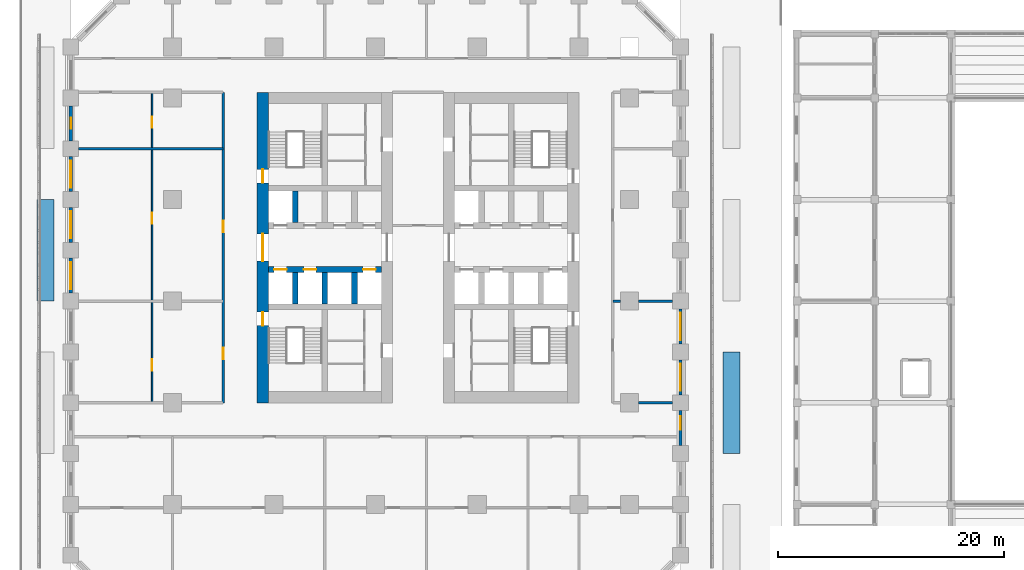
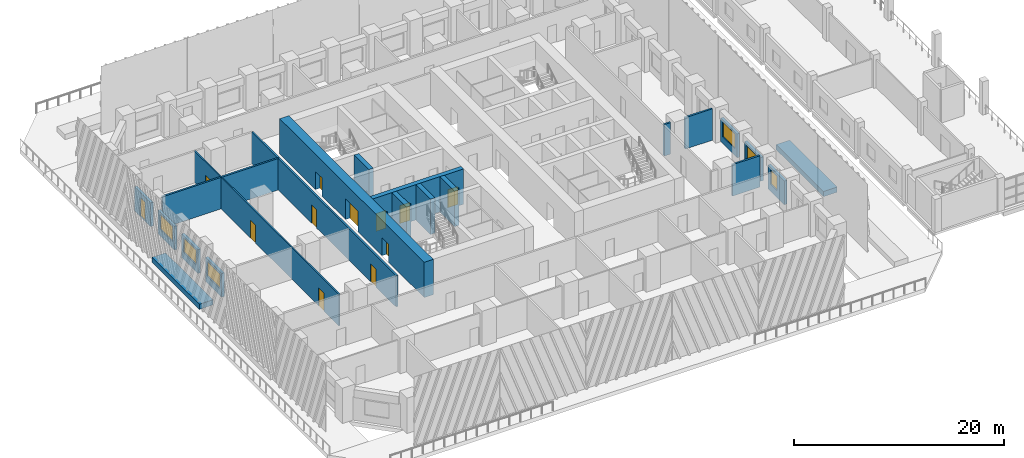
# One storey, part 19 of 36: 21 walls, 12 doors, 6 windows, 18 openings.
"""IFC4 building model written with IfcOpenShell, lengths in metres."""

from ifc_helpers import new_model, si_unit, direction, frame, frame_2d, origin, place, context, subcontext, project, spatial, rectangle, extrude, material, layer, layer_set, type_object, element, fill, save


model = new_model("IFC4")

# Units and contexts
model_context = context("Model", 3, precision=1e-05, world=origin(), true_north=direction((0.0, 1.0)))
body_context = subcontext(model_context, "Body", "Model", "MODEL_VIEW")
ifc_project = project(units=[si_unit("LENGTHUNIT", "METRE"), si_unit("AREAUNIT", "SQUARE_METRE"), si_unit("VOLUMEUNIT", "CUBIC_METRE"), si_unit("PLANEANGLEUNIT", "RADIAN"), si_unit("MASSUNIT", "GRAM", prefix="KILO")], contexts=[model_context])

# Site, building, storey
site_placement = place(None, origin())
site = spatial("IfcSite", under=ifc_project, at=site_placement, CompositionType="ELEMENT")
building_placement = place(site_placement, origin())
building = spatial("IfcBuilding", under=site, at=building_placement, Name="Corbel Stack Research Tower", CompositionType="ELEMENT")
storey_placement = place(building_placement, frame((0.0, 0.0, 7.199951171875)))
storey = spatial("IfcBuildingStorey", under=building, at=storey_placement, Name="L01", CompositionType="ELEMENT", Elevation=7.199951171875)

# Wall, openings, doors
ifc_material_1 = material(Name="Concrete C70/85", Category="concrete")
ifc_layer_1 = layer(ifc_material_1, 1.0)
ifc_layer_set_1 = layer_set([ifc_layer_1], Name="Concrete C70/85")
wall_type_1 = type_object("IfcWallType", Name="CW-1000-70", PredefinedType="SHEAR", material=ifc_layer_set_1)
wall_1_placement = place(storey_placement, frame((-10.0, -9.0, 0.0), z_axis=(0.0, 0.0, 1.0), x_axis=(0.0, 1.0, 0.0)))
wall_1 = element("IfcWall", 1, at=wall_1_placement, inside=storey, type_object=wall_type_1, Name="West core wall, west face L01", PredefinedType="SHEAR", context=body_context, shape_type="SweptSolid", body=[
    extrude(rectangle(XDim=27.5, YDim=1.0, at=frame_2d((13.75, 0.0))), origin(), (0.0, 0.0, 1.0), 4.10009765625),
])
opening_1_placement = place(wall_1_placement, frame((12.550048828125, 0.0, 0.0)))
opening_1 = element("IfcOpeningElement", 2, at=opening_1_placement, cuts=wall_1, Name="Opening CD-W-W", PredefinedType="OPENING", context=body_context, shape_type="SweptSolid", body=[
    extrude(rectangle(XDim=2.39990234375, YDim=2.39990234375, at=frame_2d((1.199951171875, 1.199951171875))), frame((0.0, 0.510009765625, 0.0), z_axis=(0.0, -1.0, 0.0), x_axis=(1.0, 0.0, 0.0)), (0.0, 0.0, 1.0), 1.02001953125),
])
opening_2_placement = place(wall_1_placement, frame((6.824951171875, 0.0, 0.0)))
opening_2 = element("IfcOpeningElement", 3, at=opening_2_placement, cuts=wall_1, Name="Opening SD-ST-W1", PredefinedType="OPENING", context=body_context, shape_type="SweptSolid", body=[
    extrude(rectangle(XDim=1.199951171875, YDim=2.10009765625, at=frame_2d((0.60009765625, 1.050048828125))), frame((0.0, 0.510009765625, 0.0), z_axis=(0.0, -1.0, 0.0), x_axis=(1.0, 0.0, 0.0)), (0.0, 0.0, 1.0), 1.02001953125),
])
opening_3_placement = place(wall_1_placement, frame((19.47509765625, 0.0, 0.0)))
opening_3 = element("IfcOpeningElement", 4, at=opening_3_placement, cuts=wall_1, Name="Opening SD-ST-W2", PredefinedType="OPENING", context=body_context, shape_type="SweptSolid", body=[
    extrude(rectangle(XDim=1.199951171875, YDim=2.10009765625, at=frame_2d((0.60009765625, 1.050048828125))), frame((0.0, 0.510009765625, 0.0), z_axis=(0.0, -1.0, 0.0), x_axis=(1.0, 0.0, 0.0)), (0.0, 0.0, 1.0), 1.02001953125),
])
ifc_material_2 = material(Name="Painted steel fire door", Category="steel")
door_type_1 = type_object("IfcDoorType", Name="Lobby door pair 2400 x 2400 FD30S", OperationType="DOUBLE_DOOR_DOUBLE_SWING", PredefinedType="DOOR", material=ifc_material_2)
door_1_placement = place(opening_1_placement, origin())
door_1 = element("IfcDoor", 5, at=door_1_placement, inside=storey, type_object=door_type_1, Name="Lift lobby door W core W", OperationType="DOUBLE_DOOR_DOUBLE_SWING", OverallHeight=2.39990234375, OverallWidth=2.39990234375, PredefinedType="DOOR", context=body_context, shape_type="SweptSolid", body=[
    extrude(rectangle(XDim=2.39990234375, YDim=2.39990234375, at=frame_2d((1.199951171875, 1.199951171875))), frame((0.0, 0.02490234375, 0.0), z_axis=(0.0, -1.0, 0.0), x_axis=(1.0, 0.0, 0.0)), (0.0, 0.0, 1.0), 0.050048828125),
])
fill(opening_1, door_1)
ifc_material_3 = material(Name="Painted steel fire door", Category="steel")
door_type_2 = type_object("IfcDoorType", Name="Stair door 1200 x 2100 FD90 left hand", OperationType="SINGLE_SWING_LEFT", PredefinedType="DOOR", material=ifc_material_3)
door_2_placement = place(opening_2_placement, origin())
door_2 = element("IfcDoor", 6, at=door_2_placement, inside=storey, type_object=door_type_2, Name="Stair door ST-W1", OperationType="SINGLE_SWING_LEFT", OverallHeight=2.10009765625, OverallWidth=1.199951171875, PredefinedType="DOOR", context=body_context, shape_type="SweptSolid", body=[
    extrude(rectangle(XDim=1.199951171875, YDim=2.10009765625, at=frame_2d((0.60009765625, 1.050048828125))), frame((0.0, 0.02490234375, 0.0), z_axis=(0.0, -1.0, 0.0), x_axis=(1.0, 0.0, 0.0)), (0.0, 0.0, 1.0), 0.050048828125),
])
fill(opening_2, door_2)
door_3_placement = place(opening_3_placement, origin())
door_3 = element("IfcDoor", 7, at=door_3_placement, inside=storey, type_object=door_type_2, Name="Stair door ST-W2", OperationType="SINGLE_SWING_LEFT", OverallHeight=2.10009765625, OverallWidth=1.199951171875, PredefinedType="DOOR", context=body_context, shape_type="SweptSolid", body=[
    extrude(rectangle(XDim=1.199951171875, YDim=2.10009765625, at=frame_2d((0.60009765625, 1.050048828125))), frame((0.0, 0.02490234375, 0.0), z_axis=(0.0, -1.0, 0.0), x_axis=(1.0, 0.0, 0.0)), (0.0, 0.0, 1.0), 0.050048828125),
])
fill(opening_3, door_3)

ifc_material_4 = material(Name="Concrete C70/85", Category="concrete")
ifc_layer_2 = layer(ifc_material_4, 0.5)
ifc_layer_set_2 = layer_set([ifc_layer_2], Name="Concrete C70/85")
wall_type_2 = type_object("IfcWallType", Name="CW-500-70", PredefinedType="SHEAR", material=ifc_layer_set_2)
wall_2_placement = place(storey_placement, frame((-9.5, 2.800048828125, 0.0), z_axis=(0.0, 0.0, 1.0), x_axis=(1.0, 0.0, 0.0)))
wall_2 = element("IfcWall", 8, at=wall_2_placement, inside=storey, type_object=wall_type_2, Name="West core wall, lobby south L01", PredefinedType="SHEAR", context=body_context, shape_type="SweptSolid", body=[
    extrude(rectangle(XDim=10.0, YDim=0.5, at=frame_2d((5.0, 0.0))), origin(), (0.0, 0.0, 1.0), 4.10009765625),
])
opening_4_placement = place(wall_2_placement, frame((0.512451171875, 0.0, 0.0)))
opening_4 = element("IfcOpeningElement", 9, at=opening_4_placement, cuts=wall_2, Name="Opening LD-FS1", PredefinedType="OPENING", context=body_context, shape_type="SweptSolid", body=[
    extrude(rectangle(XDim=1.10009765625, YDim=2.10009765625, at=frame_2d((0.550048828125, 1.050048828125))), frame((0.0, 0.260009765625, 0.0), z_axis=(0.0, -1.0, 0.0), x_axis=(1.0, 0.0, 0.0)), (0.0, 0.0, 1.0), 0.52001953125),
])
opening_5_placement = place(wall_2_placement, frame((3.137451171875, 0.0, 0.0)))
opening_5 = element("IfcOpeningElement", 10, at=opening_5_placement, cuts=wall_2, Name="Opening LD-GL1", PredefinedType="OPENING", context=body_context, shape_type="SweptSolid", body=[
    extrude(rectangle(XDim=1.10009765625, YDim=2.10009765625, at=frame_2d((0.550048828125, 1.050048828125))), frame((0.0, 0.260009765625, 0.0), z_axis=(0.0, -1.0, 0.0), x_axis=(1.0, 0.0, 0.0)), (0.0, 0.0, 1.0), 0.52001953125),
])
opening_6_placement = place(wall_2_placement, frame((8.387451171875, 0.0, 0.0)))
opening_6 = element("IfcOpeningElement", 11, at=opening_6_placement, cuts=wall_2, Name="Opening LD-LR1", PredefinedType="OPENING", context=body_context, shape_type="SweptSolid", body=[
    extrude(rectangle(XDim=1.10009765625, YDim=2.10009765625, at=frame_2d((0.550048828125, 1.050048828125))), frame((0.0, 0.260009765625, 0.0), z_axis=(0.0, -1.0, 0.0), x_axis=(1.0, 0.0, 0.0)), (0.0, 0.0, 1.0), 0.52001953125),
])
ifc_material_5 = material(Name="Stainless steel landing door", Category="steel")
door_type_3 = type_object("IfcDoorType", Name="Lift landing door 1100 x 2100", OperationType="DOUBLE_DOOR_SLIDING", PredefinedType="DOOR", material=ifc_material_5)
door_4_placement = place(opening_4_placement, origin())
door_4 = element("IfcDoor", 12, at=door_4_placement, inside=storey, type_object=door_type_3, Name="Landing door FS1", OperationType="DOUBLE_DOOR_SLIDING", OverallHeight=2.10009765625, OverallWidth=1.10009765625, PredefinedType="DOOR", context=body_context, shape_type="SweptSolid", body=[
    extrude(rectangle(XDim=1.10009765625, YDim=2.10009765625, at=frame_2d((0.550048828125, 1.050048828125))), frame((0.0, 0.02490234375, 0.0), z_axis=(0.0, -1.0, 0.0), x_axis=(1.0, 0.0, 0.0)), (0.0, 0.0, 1.0), 0.050048828125),
])
fill(opening_4, door_4)
door_5_placement = place(opening_5_placement, origin())
door_5 = element("IfcDoor", 13, at=door_5_placement, inside=storey, type_object=door_type_3, Name="Landing door GL1", OperationType="DOUBLE_DOOR_SLIDING", OverallHeight=2.10009765625, OverallWidth=1.10009765625, PredefinedType="DOOR", context=body_context, shape_type="SweptSolid", body=[
    extrude(rectangle(XDim=1.10009765625, YDim=2.10009765625, at=frame_2d((0.550048828125, 1.050048828125))), frame((0.0, 0.02490234375, 0.0), z_axis=(0.0, -1.0, 0.0), x_axis=(1.0, 0.0, 0.0)), (0.0, 0.0, 1.0), 0.050048828125),
])
fill(opening_5, door_5)
door_6_placement = place(opening_6_placement, origin())
door_6 = element("IfcDoor", 14, at=door_6_placement, inside=storey, type_object=door_type_3, Name="Landing door LR1", OperationType="DOUBLE_DOOR_SLIDING", OverallHeight=2.10009765625, OverallWidth=1.10009765625, PredefinedType="DOOR", context=body_context, shape_type="SweptSolid", body=[
    extrude(rectangle(XDim=1.10009765625, YDim=2.10009765625, at=frame_2d((0.550048828125, 1.050048828125))), frame((0.0, 0.02490234375, 0.0), z_axis=(0.0, -1.0, 0.0), x_axis=(1.0, 0.0, 0.0)), (0.0, 0.0, 1.0), 0.050048828125),
])
fill(opening_6, door_6)

# Walls
for number, where, z_axis, x_axis, name in (
    (15, (-7.125, -0.25, 0.0), (0.0, 0.0, 1.0), (0.0, 1.0, 0.0), "West core wall, south shaft 1 L01"),
    (16, (-7.125, 6.949951171875, 0.0), (0.0, 0.0, 1.0), (0.0, 1.0, 0.0), "West core wall, north shaft 1 L01"),
    (17, (-4.5, -0.25, 0.0), (0.0, 0.0, 1.0), (0.0, 1.0, 0.0), "West core wall, south shaft 2 L01"),
    (18, (-1.875, -0.25, 0.0), (0.0, 0.0, 1.0), (0.0, 1.0, 0.0), "West core wall, south shaft 3 L01"),
):
    element("IfcWall", number, at=place(storey_placement, frame(where, z_axis=z_axis, x_axis=x_axis)), inside=storey, type_object=wall_type_2, Name=name, PredefinedType="SHEAR", context=body_context, shape_type="SweptSolid", body=[
        extrude(rectangle(XDim=2.800048828125, YDim=0.5, at=frame_2d((1.39990234375, 0.0))), origin(), (0.0, 0.0, 1.0), 4.10009765625),
    ])

# Wall, openings, doors
ifc_material_6 = material(Name="Fire-rated gypsum board partition on steel studs", Category="steel")
ifc_layer_3 = layer(ifc_material_6, 0.199951171875)
ifc_layer_set_3 = layer_set([ifc_layer_3], Name="Fire-rated gypsum board partition on steel studs")
wall_type_3 = type_object("IfcWallType", Name="Fire-rated partition 200 EI 60", PredefinedType="PARTITIONING", material=ifc_layer_set_3)
wall_3_placement = place(storey_placement, frame((-13.5, -9.0, 0.0), z_axis=(0.0, 0.0, 1.0), x_axis=(0.0, 1.0, 0.0)))
wall_3 = element("IfcWall", 19, at=wall_3_placement, inside=storey, type_object=wall_type_3, Name="Partition L01-005", PredefinedType="PARTITIONING", context=body_context, shape_type="SweptSolid", body=[
    extrude(rectangle(XDim=27.5, YDim=0.199951171875, at=frame_2d((13.75, 0.0))), origin(), (0.0, 0.0, 1.0), 3.650146484375),
])
opening_7_placement = place(wall_3_placement, frame((3.85009765625, 0.0, 0.0)))
opening_7 = element("IfcOpeningElement", 20, at=opening_7_placement, cuts=wall_3, Name="Opening B1V0H-010", PredefinedType="OPENING", context=body_context, shape_type="SweptSolid", body=[
    extrude(rectangle(XDim=1.0, YDim=2.10009765625, at=frame_2d((0.5, 1.050048828125))), frame((0.0, 0.10986328125, 0.0), z_axis=(0.0, -1.0, 0.0), x_axis=(1.0, 0.0, 0.0)), (0.0, 0.0, 1.0), 0.219970703125),
])
opening_8_placement = place(wall_3_placement, frame((15.10009765625, 0.0, 0.0)))
opening_8 = element("IfcOpeningElement", 21, at=opening_8_placement, cuts=wall_3, Name="Opening B1V0H-011", PredefinedType="OPENING", context=body_context, shape_type="SweptSolid", body=[
    extrude(rectangle(XDim=1.0, YDim=2.10009765625, at=frame_2d((0.5, 1.050048828125))), frame((0.0, 0.10986328125, 0.0), z_axis=(0.0, -1.0, 0.0), x_axis=(1.0, 0.0, 0.0)), (0.0, 0.0, 1.0), 0.219970703125),
])
ifc_material_7 = material(Name="Painted steel fire door", Category="steel")
door_type_4 = type_object("IfcDoorType", Name="Fire door FD30S 1000 x 2100", OperationType="NOTDEFINED", PredefinedType="DOOR", material=ifc_material_7)
door_7_placement = place(opening_7_placement, origin())
door_7 = element("IfcDoor", 22, at=door_7_placement, inside=storey, type_object=door_type_4, Name="Door B1V0H-010", OperationType="SINGLE_SWING_LEFT", OverallHeight=2.10009765625, OverallWidth=1.0, PredefinedType="DOOR", context=body_context, shape_type="SweptSolid", body=[
    extrude(rectangle(XDim=1.0, YDim=2.10009765625, at=frame_2d((0.5, 1.050048828125))), frame((0.0, 0.02490234375, 0.0), z_axis=(0.0, -1.0, 0.0), x_axis=(1.0, 0.0, 0.0)), (0.0, 0.0, 1.0), 0.050048828125),
])
fill(opening_7, door_7)
door_8_placement = place(opening_8_placement, origin())
door_8 = element("IfcDoor", 23, at=door_8_placement, inside=storey, type_object=door_type_4, Name="Door B1V0H-011", OperationType="SINGLE_SWING_RIGHT", OverallHeight=2.10009765625, OverallWidth=1.0, PredefinedType="DOOR", context=body_context, shape_type="SweptSolid", body=[
    extrude(rectangle(XDim=1.0, YDim=2.10009765625, at=frame_2d((0.5, 1.050048828125))), frame((0.0, 0.02490234375, 0.0), z_axis=(0.0, -1.0, 0.0), x_axis=(1.0, 0.0, 0.0)), (0.0, 0.0, 1.0), 0.050048828125),
])
fill(opening_8, door_8)

# Walls
wall_4_placement = place(storey_placement, frame((23.300048828125, -9.0, 0.0), z_axis=(0.0, 0.0, 1.0), x_axis=(1.0, 0.0, 0.0)))
element("IfcWall", 24, at=wall_4_placement, inside=storey, type_object=wall_type_3, Name="Partition L01-027", PredefinedType="PARTITIONING", context=body_context, shape_type="SweptSolid", body=[
    extrude(rectangle(XDim=3.0, YDim=0.199951171875, at=frame_2d((1.5, 0.0))), origin(), (0.0, 0.0, 1.0), 3.650146484375),
])
wall_5_placement = place(storey_placement, frame((21.0, 0.0, 0.0), z_axis=(0.0, 0.0, 1.0), x_axis=(1.0, 0.0, 0.0)))
element("IfcWall", 25, at=wall_5_placement, inside=storey, type_object=wall_type_3, Name="Partition L01-030", PredefinedType="PARTITIONING", context=body_context, shape_type="SweptSolid", body=[
    extrude(rectangle(XDim=0.699951171875, YDim=0.199951171875, at=frame_2d((0.35009765625, 0.0))), origin(), (0.0, 0.0, 1.0), 3.650146484375),
])
wall_6_placement = place(storey_placement, frame((23.300048828125, 0.0, 0.0), z_axis=(0.0, 0.0, 1.0), x_axis=(1.0, 0.0, 0.0)))
element("IfcWall", 26, at=wall_6_placement, inside=storey, type_object=wall_type_3, Name="Partition L01-031", PredefinedType="PARTITIONING", context=body_context, shape_type="SweptSolid", body=[
    extrude(rectangle(XDim=3.0, YDim=0.199951171875, at=frame_2d((1.5, 0.0))), origin(), (0.0, 0.0, 1.0), 3.650146484375),
])
wall_7_placement = place(storey_placement, frame((-26.300048828125, 13.5, 0.0), z_axis=(0.0, 0.0, 1.0), x_axis=(1.0, 0.0, 0.0)))
element("IfcWall", 27, at=wall_7_placement, inside=storey, type_object=wall_type_3, Name="Partition L01-033", PredefinedType="PARTITIONING", context=body_context, shape_type="SweptSolid", body=[
    extrude(rectangle(XDim=12.800048828125, YDim=0.199951171875, at=frame_2d((6.39990234375, 0.0))), origin(), (0.0, 0.0, 1.0), 3.650146484375),
])

# Wall, openings, doors
ifc_material_8 = material(Name="Gypsum board partition on steel studs", Category="steel")
ifc_layer_4 = layer(ifc_material_8, 0.14990234375)
ifc_layer_set_4 = layer_set([ifc_layer_4], Name="Gypsum board partition on steel studs")
wall_type_4 = type_object("IfcWallType", Name="Partition 150", PredefinedType="PARTITIONING", material=ifc_layer_set_4)
wall_8_placement = place(storey_placement, frame((-19.800048828125, -9.0, 0.0), z_axis=(0.0, 0.0, 1.0), x_axis=(0.0, 1.0, 0.0)))
wall_8 = element("IfcWall", 28, at=wall_8_placement, inside=storey, type_object=wall_type_4, Name="Partition L01-001", PredefinedType="PARTITIONING", context=body_context, shape_type="SweptSolid", body=[
    extrude(rectangle(XDim=27.5, YDim=0.14990234375, at=frame_2d((13.75, 0.0))), origin(), (0.0, 0.0, 1.0), 3.650146484375),
])
opening_9_placement = place(wall_8_placement, frame((2.85009765625, 0.0, 0.0)))
opening_9 = element("IfcOpeningElement", 29, at=opening_9_placement, cuts=wall_8, Name="Opening B1V0H-001", PredefinedType="OPENING", context=body_context, shape_type="SweptSolid", body=[
    extrude(rectangle(XDim=1.0, YDim=2.10009765625, at=frame_2d((0.5, 1.050048828125))), frame((0.0, 0.0849609375, 0.0), z_axis=(0.0, -1.0, 0.0), x_axis=(1.0, 0.0, 0.0)), (0.0, 0.0, 1.0), 0.169921875),
])
opening_10_placement = place(wall_8_placement, frame((15.85009765625, 0.0, 0.0)))
opening_10 = element("IfcOpeningElement", 30, at=opening_10_placement, cuts=wall_8, Name="Opening B1V0H-002", PredefinedType="OPENING", context=body_context, shape_type="SweptSolid", body=[
    extrude(rectangle(XDim=1.0, YDim=2.10009765625, at=frame_2d((0.5, 1.050048828125))), frame((0.0, 0.0849609375, 0.0), z_axis=(0.0, -1.0, 0.0), x_axis=(1.0, 0.0, 0.0)), (0.0, 0.0, 1.0), 0.169921875),
])
opening_11_placement = place(wall_8_placement, frame((24.35009765625, 0.0, 0.0)))
opening_11 = element("IfcOpeningElement", 31, at=opening_11_placement, cuts=wall_8, Name="Opening B1V0H-003", PredefinedType="OPENING", context=body_context, shape_type="SweptSolid", body=[
    extrude(rectangle(XDim=1.0, YDim=2.10009765625, at=frame_2d((0.5, 1.050048828125))), frame((0.0, 0.0849609375, 0.0), z_axis=(0.0, -1.0, 0.0), x_axis=(1.0, 0.0, 0.0)), (0.0, 0.0, 1.0), 0.169921875),
])
ifc_material_9 = material(Name="Painted timber door", Category="wood")
door_type_5 = type_object("IfcDoorType", Name="Single door 1000 x 2100", OperationType="NOTDEFINED", PredefinedType="DOOR", material=ifc_material_9)
door_9_placement = place(opening_9_placement, origin())
door_9 = element("IfcDoor", 32, at=door_9_placement, inside=storey, type_object=door_type_5, Name="Door B1V0H-001", OperationType="SINGLE_SWING_LEFT", OverallHeight=2.10009765625, OverallWidth=1.0, PredefinedType="DOOR", context=body_context, shape_type="SweptSolid", body=[
    extrude(rectangle(XDim=1.0, YDim=2.10009765625, at=frame_2d((0.5, 1.050048828125))), frame((0.0, 0.02490234375, 0.0), z_axis=(0.0, -1.0, 0.0), x_axis=(1.0, 0.0, 0.0)), (0.0, 0.0, 1.0), 0.050048828125),
])
fill(opening_9, door_9)
door_10_placement = place(opening_10_placement, origin())
door_10 = element("IfcDoor", 33, at=door_10_placement, inside=storey, type_object=door_type_5, Name="Door B1V0H-002", OperationType="SINGLE_SWING_RIGHT", OverallHeight=2.10009765625, OverallWidth=1.0, PredefinedType="DOOR", context=body_context, shape_type="SweptSolid", body=[
    extrude(rectangle(XDim=1.0, YDim=2.10009765625, at=frame_2d((0.5, 1.050048828125))), frame((0.0, 0.02490234375, 0.0), z_axis=(0.0, -1.0, 0.0), x_axis=(1.0, 0.0, 0.0)), (0.0, 0.0, 1.0), 0.050048828125),
])
fill(opening_10, door_10)
door_11_placement = place(opening_11_placement, origin())
door_11 = element("IfcDoor", 34, at=door_11_placement, inside=storey, type_object=door_type_5, Name="Door B1V0H-003", OperationType="SINGLE_SWING_RIGHT", OverallHeight=2.10009765625, OverallWidth=1.0, PredefinedType="DOOR", context=body_context, shape_type="SweptSolid", body=[
    extrude(rectangle(XDim=1.0, YDim=2.10009765625, at=frame_2d((0.5, 1.050048828125))), frame((0.0, 0.02490234375, 0.0), z_axis=(0.0, -1.0, 0.0), x_axis=(1.0, 0.0, 0.0)), (0.0, 0.0, 1.0), 0.050048828125),
])
fill(opening_11, door_11)

# Walls
ifc_material_10 = material(Name="Concrete C30/37", Category="concrete")
ifc_layer_5 = layer(ifc_material_10, 1.5)
ifc_layer_set_5 = layer_set([ifc_layer_5], Name="Concrete C30/37")
wall_type_5 = type_object("IfcWallType", Name="SW2 planter bed 1500", PredefinedType="SOLIDWALL", material=ifc_layer_set_5)
for number, where, z_axis, x_axis, name in (
    (35, (-29.25, 0.0, 0.0), (0.0, 0.0, 1.0), (0.0, 1.0, 0.0), "PLANTER 6"),
    (36, (31.5, -13.5, 0.0), (0.0, 0.0, 1.0), (0.0, 1.0, 0.0), "PLANTER 9"),
):
    element("IfcWall", number, at=place(storey_placement, frame(where, z_axis=z_axis, x_axis=x_axis)), inside=storey, type_object=wall_type_5, Name=name, PredefinedType="SOLIDWALL", context=body_context, shape_type="SweptSolid", body=[
        extrude(rectangle(XDim=9.0, YDim=1.5, at=frame_2d((4.5, 0.0))), origin(), (0.0, 0.0, 1.0), 0.60009765625),
    ])

# Wall, opening, window
ifc_material_11 = material(Name="Concrete C45/55", Category="concrete")
ifc_layer_6 = layer(ifc_material_11, 0.300048828125)
ifc_layer_set_6 = layer_set([ifc_layer_6], Name="Concrete C45/55")
wall_type_6 = type_object("IfcWallType", Name="Terracotta-faced concrete wall 300", PredefinedType="SOLIDWALL", material=ifc_layer_set_6)
wall_9_placement = place(storey_placement, frame((27.0, -9.699951171875, 0.0), z_axis=(0.0, 0.0, 1.0), x_axis=(0.0, -1.0, 0.0)))
wall_9 = element("IfcWall", 37, at=wall_9_placement, inside=storey, type_object=wall_type_6, Name="Facade wall L01 E03", PredefinedType="SOLIDWALL", context=body_context, shape_type="SweptSolid", body=[
    extrude(rectangle(XDim=3.10009765625, YDim=0.300048828125, at=frame_2d((1.550048828125, 0.0))), origin(), (0.0, 0.0, 1.0), 2.75),
])
opening_12_placement = place(wall_9_placement, frame((0.47509765625, 0.0, 0.800048828125)))
opening_12 = element("IfcOpeningElement", 38, at=opening_12_placement, cuts=wall_9, Name="Opening W2", PredefinedType="OPENING", context=body_context, shape_type="SweptSolid", body=[
    extrude(rectangle(XDim=1.199951171875, YDim=1.699951171875, at=frame_2d((0.60009765625, 0.85009765625))), frame((0.0, 0.159912109375, 0.0), z_axis=(0.0, -1.0, 0.0), x_axis=(1.0, 0.0, 0.0)), (0.0, 0.0, 1.0), 0.320068359375),
])
ifc_material_12 = material(Name="Aluminium frame, clear double glazing", Category="aluminium")
window_type_1 = type_object("IfcWindowType", Name="Window W2 1200 x 1700", PartitioningType="SINGLE_PANEL", PredefinedType="WINDOW", material=ifc_material_12)
window_1_placement = place(opening_12_placement, origin())
window_1 = element("IfcWindow", 39, at=window_1_placement, inside=storey, type_object=window_type_1, Name="Window W2 L01 E03", OverallHeight=1.699951171875, OverallWidth=1.199951171875, PartitioningType="SINGLE_PANEL", PredefinedType="WINDOW", context=body_context, shape_type="SweptSolid", body=[
    extrude(rectangle(XDim=1.199951171875, YDim=1.699951171875, at=frame_2d((0.60009765625, 0.85009765625))), frame((0.0, 0.030029296875, 0.0), z_axis=(0.0, -1.0, 0.0), x_axis=(1.0, 0.0, 0.0)), (0.0, 0.0, 1.0), 0.06005859375),
])
fill(opening_12, window_1)

wall_10_placement = place(storey_placement, frame((27.0, -5.199951171875, 0.0), z_axis=(0.0, 0.0, 1.0), x_axis=(0.0, -1.0, 0.0)))
wall_10 = element("IfcWall", 40, at=wall_10_placement, inside=storey, type_object=wall_type_6, Name="Facade wall L01 E04", PredefinedType="SOLIDWALL", context=body_context, shape_type="SweptSolid", body=[
    extrude(rectangle(XDim=3.10009765625, YDim=0.300048828125, at=frame_2d((1.550048828125, 0.0))), origin(), (0.0, 0.0, 1.0), 2.75),
])
opening_13_placement = place(wall_10_placement, frame((0.35009765625, 0.0, 0.800048828125)))
opening_13 = element("IfcOpeningElement", 41, at=opening_13_placement, cuts=wall_10, Name="Opening W1", PredefinedType="OPENING", context=body_context, shape_type="SweptSolid", body=[
    extrude(rectangle(XDim=2.39990234375, YDim=1.699951171875, at=frame_2d((1.199951171875, 0.85009765625))), frame((0.0, 0.159912109375, 0.0), z_axis=(0.0, -1.0, 0.0), x_axis=(1.0, 0.0, 0.0)), (0.0, 0.0, 1.0), 0.320068359375),
])
ifc_material_13 = material(Name="Aluminium frame, clear double glazing", Category="aluminium")
window_type_2 = type_object("IfcWindowType", Name="Window W1 2400 x 1700", PartitioningType="SINGLE_PANEL", PredefinedType="WINDOW", material=ifc_material_13)
window_2_placement = place(opening_13_placement, origin())
window_2 = element("IfcWindow", 42, at=window_2_placement, inside=storey, type_object=window_type_2, Name="Window W1 L01 E04", OverallHeight=1.699951171875, OverallWidth=2.39990234375, PartitioningType="SINGLE_PANEL", PredefinedType="WINDOW", context=body_context, shape_type="SweptSolid", body=[
    extrude(rectangle(XDim=2.39990234375, YDim=1.699951171875, at=frame_2d((1.199951171875, 0.85009765625))), frame((0.0, 0.030029296875, 0.0), z_axis=(0.0, -1.0, 0.0), x_axis=(1.0, 0.0, 0.0)), (0.0, 0.0, 1.0), 0.06005859375),
])
fill(opening_13, window_2)

wall_11_placement = place(storey_placement, frame((27.0, -0.699951171875, 0.0), z_axis=(0.0, 0.0, 1.0), x_axis=(0.0, -1.0, 0.0)))
wall_11 = element("IfcWall", 43, at=wall_11_placement, inside=storey, type_object=wall_type_6, Name="Facade wall L01 E05", PredefinedType="SOLIDWALL", context=body_context, shape_type="SweptSolid", body=[
    extrude(rectangle(XDim=3.10009765625, YDim=0.300048828125, at=frame_2d((1.550048828125, 0.0))), origin(), (0.0, 0.0, 1.0), 2.75),
])
opening_14_placement = place(wall_11_placement, frame((0.35009765625, 0.0, 0.800048828125)))
opening_14 = element("IfcOpeningElement", 44, at=opening_14_placement, cuts=wall_11, Name="Opening W1", PredefinedType="OPENING", context=body_context, shape_type="SweptSolid", body=[
    extrude(rectangle(XDim=2.39990234375, YDim=1.699951171875, at=frame_2d((1.199951171875, 0.85009765625))), frame((0.0, 0.159912109375, 0.0), z_axis=(0.0, -1.0, 0.0), x_axis=(1.0, 0.0, 0.0)), (0.0, 0.0, 1.0), 0.320068359375),
])
window_3_placement = place(opening_14_placement, origin())
window_3 = element("IfcWindow", 45, at=window_3_placement, inside=storey, type_object=window_type_2, Name="Window W1 L01 E05", OverallHeight=1.699951171875, OverallWidth=2.39990234375, PartitioningType="SINGLE_PANEL", PredefinedType="WINDOW", context=body_context, shape_type="SweptSolid", body=[
    extrude(rectangle(XDim=2.39990234375, YDim=1.699951171875, at=frame_2d((1.199951171875, 0.85009765625))), frame((0.0, 0.030029296875, 0.0), z_axis=(0.0, -1.0, 0.0), x_axis=(1.0, 0.0, 0.0)), (0.0, 0.0, 1.0), 0.06005859375),
])
fill(opening_14, window_3)

# Wall, opening, door
wall_12_placement = place(storey_placement, frame((-27.0, 14.199951171875, 0.0), z_axis=(0.0, 0.0, 1.0), x_axis=(0.0, 1.0, 0.0)))
wall_12 = element("IfcWall", 46, at=wall_12_placement, inside=storey, type_object=wall_type_6, Name="Facade wall L01 W02", PredefinedType="SOLIDWALL", context=body_context, shape_type="SweptSolid", body=[
    extrude(rectangle(XDim=3.10009765625, YDim=0.300048828125, at=frame_2d((1.550048828125, 0.0))), origin(), (0.0, 0.0, 1.0), 2.75),
])
opening_15_placement = place(wall_12_placement, frame((1.050048828125, 0.0, 0.0)))
opening_15 = element("IfcOpeningElement", 47, at=opening_15_placement, cuts=wall_12, Name="Opening L01-B07", PredefinedType="OPENING", context=body_context, shape_type="SweptSolid", body=[
    extrude(rectangle(XDim=1.0, YDim=2.199951171875, at=frame_2d((0.5, 1.10009765625))), frame((0.0, 0.159912109375, 0.0), z_axis=(0.0, -1.0, 0.0), x_axis=(1.0, 0.0, 0.0)), (0.0, 0.0, 1.0), 0.320068359375),
])
ifc_material_14 = material(Name="Aluminium frame, clear double glazing", Category="aluminium")
door_type_6 = type_object("IfcDoorType", Name="Balcony door BD1 1000 x 2200", OperationType="NOTDEFINED", PredefinedType="DOOR", material=ifc_material_14)
door_12_placement = place(opening_15_placement, origin())
door_12 = element("IfcDoor", 48, at=door_12_placement, inside=storey, type_object=door_type_6, Name="Balcony door L01-B07", OperationType="SINGLE_SWING_LEFT", OverallHeight=2.199951171875, OverallWidth=1.0, PredefinedType="DOOR", context=body_context, shape_type="SweptSolid", body=[
    extrude(rectangle(XDim=1.0, YDim=2.199951171875, at=frame_2d((0.5, 1.10009765625))), frame((0.0, 0.02490234375, 0.0), z_axis=(0.0, -1.0, 0.0), x_axis=(1.0, 0.0, 0.0)), (0.0, 0.0, 1.0), 0.050048828125),
])
fill(opening_15, door_12)

# Wall, opening, window
wall_13_placement = place(storey_placement, frame((-27.0, 9.699951171875, 0.0), z_axis=(0.0, 0.0, 1.0), x_axis=(0.0, 1.0, 0.0)))
wall_13 = element("IfcWall", 49, at=wall_13_placement, inside=storey, type_object=wall_type_6, Name="Facade wall L01 W03", PredefinedType="SOLIDWALL", context=body_context, shape_type="SweptSolid", body=[
    extrude(rectangle(XDim=3.10009765625, YDim=0.300048828125, at=frame_2d((1.550048828125, 0.0))), origin(), (0.0, 0.0, 1.0), 2.75),
])
opening_16_placement = place(wall_13_placement, frame((0.35009765625, 0.0, 0.800048828125)))
opening_16 = element("IfcOpeningElement", 50, at=opening_16_placement, cuts=wall_13, Name="Opening W1", PredefinedType="OPENING", context=body_context, shape_type="SweptSolid", body=[
    extrude(rectangle(XDim=2.39990234375, YDim=1.699951171875, at=frame_2d((1.199951171875, 0.85009765625))), frame((0.0, 0.159912109375, 0.0), z_axis=(0.0, -1.0, 0.0), x_axis=(1.0, 0.0, 0.0)), (0.0, 0.0, 1.0), 0.320068359375),
])
window_4_placement = place(opening_16_placement, origin())
window_4 = element("IfcWindow", 51, at=window_4_placement, inside=storey, type_object=window_type_2, Name="Window W1 L01 W03", OverallHeight=1.699951171875, OverallWidth=2.39990234375, PartitioningType="SINGLE_PANEL", PredefinedType="WINDOW", context=body_context, shape_type="SweptSolid", body=[
    extrude(rectangle(XDim=2.39990234375, YDim=1.699951171875, at=frame_2d((1.199951171875, 0.85009765625))), frame((0.0, 0.030029296875, 0.0), z_axis=(0.0, -1.0, 0.0), x_axis=(1.0, 0.0, 0.0)), (0.0, 0.0, 1.0), 0.06005859375),
])
fill(opening_16, window_4)

wall_14_placement = place(storey_placement, frame((-27.0, 5.199951171875, 0.0), z_axis=(0.0, 0.0, 1.0), x_axis=(0.0, 1.0, 0.0)))
wall_14 = element("IfcWall", 52, at=wall_14_placement, inside=storey, type_object=wall_type_6, Name="Facade wall L01 W04", PredefinedType="SOLIDWALL", context=body_context, shape_type="SweptSolid", body=[
    extrude(rectangle(XDim=3.10009765625, YDim=0.300048828125, at=frame_2d((1.550048828125, 0.0))), origin(), (0.0, 0.0, 1.0), 2.75),
])
opening_17_placement = place(wall_14_placement, frame((0.35009765625, 0.0, 0.800048828125)))
opening_17 = element("IfcOpeningElement", 53, at=opening_17_placement, cuts=wall_14, Name="Opening W1", PredefinedType="OPENING", context=body_context, shape_type="SweptSolid", body=[
    extrude(rectangle(XDim=2.39990234375, YDim=1.699951171875, at=frame_2d((1.199951171875, 0.85009765625))), frame((0.0, 0.159912109375, 0.0), z_axis=(0.0, -1.0, 0.0), x_axis=(1.0, 0.0, 0.0)), (0.0, 0.0, 1.0), 0.320068359375),
])
window_5_placement = place(opening_17_placement, origin())
window_5 = element("IfcWindow", 54, at=window_5_placement, inside=storey, type_object=window_type_2, Name="Window W1 L01 W04", OverallHeight=1.699951171875, OverallWidth=2.39990234375, PartitioningType="SINGLE_PANEL", PredefinedType="WINDOW", context=body_context, shape_type="SweptSolid", body=[
    extrude(rectangle(XDim=2.39990234375, YDim=1.699951171875, at=frame_2d((1.199951171875, 0.85009765625))), frame((0.0, 0.030029296875, 0.0), z_axis=(0.0, -1.0, 0.0), x_axis=(1.0, 0.0, 0.0)), (0.0, 0.0, 1.0), 0.06005859375),
])
fill(opening_17, window_5)

wall_15_placement = place(storey_placement, frame((-27.0, 0.699951171875, 0.0), z_axis=(0.0, 0.0, 1.0), x_axis=(0.0, 1.0, 0.0)))
wall_15 = element("IfcWall", 55, at=wall_15_placement, inside=storey, type_object=wall_type_6, Name="Facade wall L01 W05", PredefinedType="SOLIDWALL", context=body_context, shape_type="SweptSolid", body=[
    extrude(rectangle(XDim=3.10009765625, YDim=0.300048828125, at=frame_2d((1.550048828125, 0.0))), origin(), (0.0, 0.0, 1.0), 2.75),
])
opening_18_placement = place(wall_15_placement, frame((0.35009765625, 0.0, 0.800048828125)))
opening_18 = element("IfcOpeningElement", 56, at=opening_18_placement, cuts=wall_15, Name="Opening W1", PredefinedType="OPENING", context=body_context, shape_type="SweptSolid", body=[
    extrude(rectangle(XDim=2.39990234375, YDim=1.699951171875, at=frame_2d((1.199951171875, 0.85009765625))), frame((0.0, 0.159912109375, 0.0), z_axis=(0.0, -1.0, 0.0), x_axis=(1.0, 0.0, 0.0)), (0.0, 0.0, 1.0), 0.320068359375),
])
window_6_placement = place(opening_18_placement, origin())
window_6 = element("IfcWindow", 57, at=window_6_placement, inside=storey, type_object=window_type_2, Name="Window W1 L01 W05", OverallHeight=1.699951171875, OverallWidth=2.39990234375, PartitioningType="SINGLE_PANEL", PredefinedType="WINDOW", context=body_context, shape_type="SweptSolid", body=[
    extrude(rectangle(XDim=2.39990234375, YDim=1.699951171875, at=frame_2d((1.199951171875, 0.85009765625))), frame((0.0, 0.030029296875, 0.0), z_axis=(0.0, -1.0, 0.0), x_axis=(1.0, 0.0, 0.0)), (0.0, 0.0, 1.0), 0.06005859375),
])
fill(opening_18, window_6)

save(model, "model.ifc")
